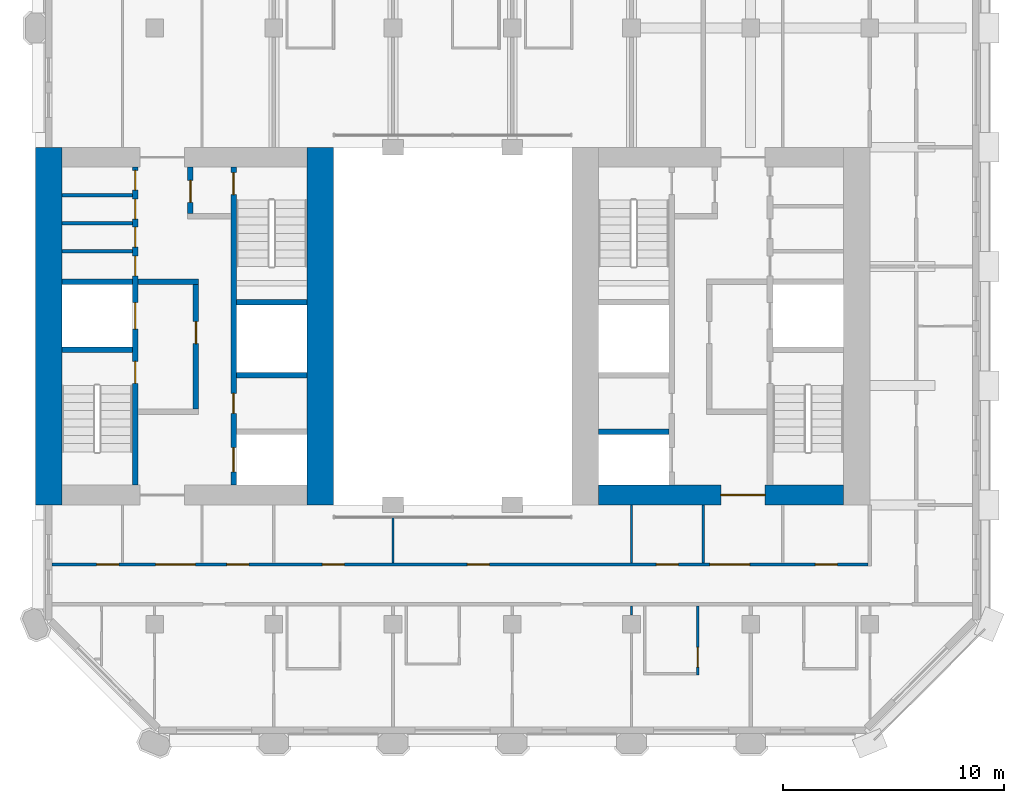
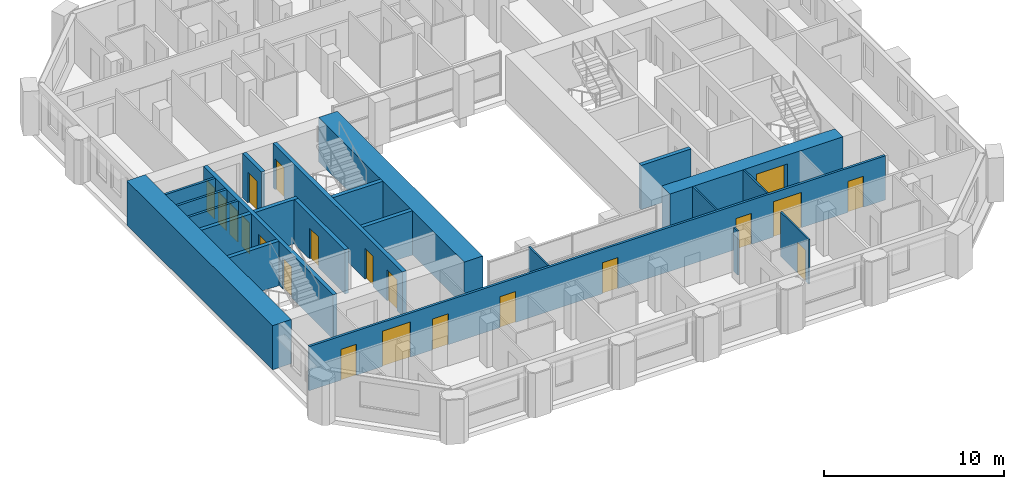
# One storey, part 5 of 13: 22 walls, 21 doors, 21 openings.
"""IFC4 building model written with IfcOpenShell, lengths in metres."""

from ifc_helpers import new_model, si_unit, direction, frame, frame_2d, origin, place, context, subcontext, project, spatial, rectangle, extrude, material, layer, layer_set, type_object, element, fill, save


model = new_model("IFC4")

# Units and contexts
model_context = context("Model", 3, precision=1e-05, world=origin(), true_north=direction((0.0, 1.0)))
body_context = subcontext(model_context, "Body", "Model", "MODEL_VIEW")
ifc_project = project(units=[si_unit("LENGTHUNIT", "METRE"), si_unit("AREAUNIT", "SQUARE_METRE"), si_unit("VOLUMEUNIT", "CUBIC_METRE"), si_unit("PLANEANGLEUNIT", "RADIAN"), si_unit("MASSUNIT", "GRAM", prefix="KILO")], contexts=[model_context])

# Site, building, storey
site_placement = place(None, origin())
site = spatial("IfcSite", under=ifc_project, at=site_placement, CompositionType="ELEMENT")
building_placement = place(site_placement, origin())
building = spatial("IfcBuilding", under=site, at=building_placement, Name="Tabaq Tower and Sports Hall", CompositionType="ELEMENT")
storey_placement = place(building_placement, frame((0.0, 0.0, 200.5)))
storey = spatial("IfcBuildingStorey", under=building, at=storey_placement, Name="L49", CompositionType="ELEMENT", Elevation=200.5)

# Walls
ifc_material_1 = material(Name="Blockwork", Category="masonry")
ifc_layer_1 = layer(ifc_material_1, 0.14990234375)
ifc_layer_set_1 = layer_set([ifc_layer_1], Name="Core room partition 150 Blockwork")
wall_type_1 = type_object("IfcWallType", Name="Core room partition 150 Blockwork", PredefinedType="PARTITIONING", material=ifc_layer_set_1)
for number, where, z_axis, x_axis, name in (
    (1, (6.60009765625, 27.694091796875, 0.0), (0.0, 0.0, 1.0), (1.0, 0.0, 0.0), "Core room partition W L49"),
    (2, (6.60009765625, 28.962890625, 0.0), (0.0, 0.0, 1.0), (1.0, 0.0, 0.0), "Core room partition W L49"),
    (3, (6.60009765625, 30.23193359375, 0.0), (0.0, 0.0, 1.0), (1.0, 0.0, 0.0), "Core room partition W L49"),
):
    element("IfcWall", number, at=place(storey_placement, frame(where, z_axis=z_axis, x_axis=x_axis)), inside=storey, type_object=wall_type_1, Name=name, PredefinedType="PARTITIONING", context=body_context, shape_type="SweptSolid", body=[
        extrude(rectangle(XDim=3.199951171875, YDim=0.14990234375, at=frame_2d((1.60009765625, 0.0))), origin(), (0.0, 0.0, 1.0), 3.0),
    ])
ifc_material_2 = material(Name="Concrete C50/60", Category="concrete")
ifc_layer_2 = layer(ifc_material_2, 1.199951171875)
ifc_layer_set_2 = layer_set([ifc_layer_2], Name="Core wall 1200 Concrete C50/60")
wall_type_2 = type_object("IfcWallType", Name="Core wall 1200 Concrete C50/60", PredefinedType="SOLIDWALL", material=ifc_layer_set_2)
for number, where, z_axis, x_axis, name in (
    (4, (6.0, 16.199951171875, 0.0), (0.0, 0.0, 1.0), (0.0, 1.0, 0.0), "Core wall W L49"),
    (5, (18.300048828125, 32.39990234375, 0.0), (0.0, 0.0, 1.0), (0.0, -1.0, 0.0), "Core wall W L49"),
):
    element("IfcWall", number, at=place(storey_placement, frame(where, z_axis=z_axis, x_axis=x_axis)), inside=storey, type_object=wall_type_2, Name=name, PredefinedType="SOLIDWALL", context=body_context, shape_type="SweptSolid", body=[
        extrude(rectangle(XDim=16.199951171875, YDim=1.199951171875, at=frame_2d((8.10009765625, 0.0))), origin(), (0.0, 0.0, 1.0), 3.0),
    ])

# Wall, opening, door
ifc_material_3 = material(Name="Concrete C50/60", Category="concrete")
ifc_layer_3 = layer(ifc_material_3, 0.89990234375)
ifc_layer_set_3 = layer_set([ifc_layer_3], Name="Core wall 900 Concrete C50/60")
wall_type_3 = type_object("IfcWallType", Name="Core wall 900 Concrete C50/60", PredefinedType="SOLIDWALL", material=ifc_layer_set_3)
wall_1_placement = place(storey_placement, frame((42.0, 16.64990234375, 0.0), z_axis=(0.0, 0.0, 1.0), x_axis=(-1.0, 0.0, 0.0)))
wall_1 = element("IfcWall", 6, at=wall_1_placement, inside=storey, type_object=wall_type_3, Name="Core wall E L49", PredefinedType="SOLIDWALL", context=body_context, shape_type="SweptSolid", body=[
    extrude(rectangle(XDim=11.10009765625, YDim=0.89990234375, at=frame_2d((5.550048828125, 0.0))), origin(), (0.0, 0.0, 1.0), 3.0),
])
opening_1_placement = place(wall_1_placement, frame((3.550048828125, 0.0, 0.0)))
opening_1 = element("IfcOpeningElement", 7, at=opening_1_placement, cuts=wall_1, Name="Opening PD-EL49-01", PredefinedType="OPENING", context=body_context, shape_type="SweptSolid", body=[
    extrude(rectangle(XDim=2.0, YDim=2.39990234375, at=frame_2d((1.0, 1.199951171875))), frame((0.0, 0.449951171875, 0.0), z_axis=(0.0, -1.0, 0.0), x_axis=(1.0, 0.0, 0.0)), (0.0, 0.0, 1.0), 0.89990234375),
])
ifc_material_4 = material(Name="Steel fire door", Category="steel")
door_type_1 = type_object("IfcDoorType", Name="Core entrance door 2000", OperationType="DOUBLE_DOOR_SINGLE_SWING", PredefinedType="DOOR", material=ifc_material_4)
door_1_placement = place(opening_1_placement, origin())
door_1 = element("IfcDoor", 8, at=door_1_placement, inside=storey, type_object=door_type_1, Name="Core entrance south E L49", OperationType="DOUBLE_DOOR_SINGLE_SWING", OverallHeight=2.39990234375, OverallWidth=2.0, PredefinedType="DOOR", context=body_context, shape_type="SweptSolid", body=[
    extrude(rectangle(XDim=2.0, YDim=2.39990234375, at=frame_2d((1.0, 1.199951171875))), frame((0.0, 0.02490234375, 0.0), z_axis=(0.0, -1.0, 0.0), x_axis=(1.0, 0.0, 0.0)), (0.0, 0.0, 1.0), 0.050048828125),
])
fill(opening_1, door_1)

ifc_material_5 = material(Name="Gypsum board on steel studs", Category="steel")
ifc_layer_4 = layer(ifc_material_5, 0.10009765625)
ifc_layer_set_4 = layer_set([ifc_layer_4], Name="Partition 100 Gypsum board")
wall_type_4 = type_object("IfcWallType", Name="Partition 100 Gypsum board", PredefinedType="PARTITIONING", material=ifc_layer_set_4)
wall_2_placement = place(storey_placement, frame((35.39990234375, 11.625, 0.0), z_axis=(0.0, 0.0, 1.0), x_axis=(0.0, -1.0, 0.0)))
wall_2 = element("IfcWall", 9, at=wall_2_placement, inside=storey, type_object=wall_type_4, Name="Partition wall L49", PredefinedType="PARTITIONING", context=body_context, shape_type="SweptSolid", body=[
    extrude(rectangle(XDim=3.125, YDim=0.10009765625, at=frame_2d((1.5625, 0.0))), origin(), (0.0, 0.0, 1.0), 3.0),
])
opening_2_placement = place(wall_2_placement, frame((1.875, 0.0, 0.0)))
opening_2 = element("IfcOpeningElement", 10, at=opening_2_placement, cuts=wall_2, Name="Opening L49-022", PredefinedType="OPENING", context=body_context, shape_type="SweptSolid", body=[
    extrude(rectangle(XDim=0.89990234375, YDim=2.10009765625, at=frame_2d((0.449951171875, 1.050048828125))), frame((0.0, 0.050048828125, 0.0), z_axis=(0.0, -1.0, 0.0), x_axis=(1.0, 0.0, 0.0)), (0.0, 0.0, 1.0), 0.10009765625),
])
ifc_material_6 = material(Name="Timber leaf in steel frame", Category="steel")
door_type_2 = type_object("IfcDoorType", Name="Internal door 900 right hand", OperationType="SINGLE_SWING_RIGHT", PredefinedType="DOOR", material=ifc_material_6)
door_2_placement = place(opening_2_placement, origin())
door_2 = element("IfcDoor", 11, at=door_2_placement, inside=storey, type_object=door_type_2, Name="Internal door L49-022", OperationType="SINGLE_SWING_RIGHT", OverallHeight=2.10009765625, OverallWidth=0.89990234375, PredefinedType="DOOR", context=body_context, shape_type="SweptSolid", body=[
    extrude(rectangle(XDim=0.89990234375, YDim=2.10009765625, at=frame_2d((0.449951171875, 1.050048828125))), frame((0.0, 0.02490234375, 0.0), z_axis=(0.0, -1.0, 0.0), x_axis=(1.0, 0.0, 0.0)), (0.0, 0.0, 1.0), 0.050048828125),
])
fill(opening_2, door_2)

# Walls
wall_3_placement = place(storey_placement, frame((32.39990234375, 11.625, 0.0), z_axis=(0.0, 0.0, 1.0), x_axis=(0.0, -1.0, 0.0)))
element("IfcWall", 12, at=wall_3_placement, inside=storey, type_object=wall_type_4, Name="Partition wall L49", PredefinedType="PARTITIONING", context=body_context, shape_type="SweptSolid", body=[
    extrude(rectangle(XDim=0.405029296875, YDim=0.10009765625, at=frame_2d((0.20263671875, 0.0))), origin(), (0.0, 0.0, 1.0), 3.0),
])
wall_4_placement = place(storey_placement, frame((21.60009765625, 13.574951171875, 0.0), z_axis=(0.0, 0.0, 1.0), x_axis=(0.0, 1.0, 0.0)))
element("IfcWall", 13, at=wall_4_placement, inside=storey, type_object=wall_type_4, Name="Partition wall L49", PredefinedType="PARTITIONING", context=body_context, shape_type="SweptSolid", body=[
    extrude(rectangle(XDim=2.130126953125, YDim=0.10009765625, at=frame_2d((1.06494140625, 0.0))), origin(), (0.0, 0.0, 1.0), 3.0),
])
for number, where, z_axis, x_axis, name in (
    (14, (32.39990234375, 13.574951171875, 0.0), (0.0, 0.0, 1.0), (0.0, 1.0, 0.0), "Partition wall L49"),
    (15, (35.64990234375, 16.199951171875, 0.0), (0.0, 0.0, 1.0), (0.0, -1.0, 0.0), "Partition wall L49"),
):
    element("IfcWall", number, at=place(storey_placement, frame(where, z_axis=z_axis, x_axis=x_axis)), inside=storey, type_object=wall_type_4, Name=name, PredefinedType="PARTITIONING", context=body_context, shape_type="SweptSolid", body=[
        extrude(rectangle(XDim=2.625, YDim=0.10009765625, at=frame_2d((1.3125, 0.0))), origin(), (0.0, 0.0, 1.0), 3.0),
    ])

# Wall, openings, doors
ifc_material_7 = material(Name="Blockwork", Category="masonry")
ifc_layer_5 = layer(ifc_material_7, 0.14990234375)
ifc_layer_set_5 = layer_set([ifc_layer_5], Name="Separating wall 150 Blockwork")
wall_type_5 = type_object("IfcWallType", Name="Separating wall 150 Blockwork", PredefinedType="PARTITIONING", material=ifc_layer_set_5)
wall_5_placement = place(storey_placement, frame((6.15087890625, 13.5, 0.0), z_axis=(0.0, 0.0, 1.0), x_axis=(1.0, 0.0, 0.0)))
wall_5 = element("IfcWall", 16, at=wall_5_placement, inside=storey, type_object=wall_type_5, Name="Separating wall L49", PredefinedType="PARTITIONING", context=body_context, shape_type="SweptSolid", body=[
    extrude(rectangle(XDim=36.97412109375, YDim=0.14990234375, at=frame_2d((18.487060546875, 0.0))), origin(), (0.0, 0.0, 1.0), 3.0),
])
opening_3_placement = place(wall_5_placement, frame((12.2490234375, 0.0, 0.0)))
opening_3 = element("IfcOpeningElement", 17, at=opening_3_placement, cuts=wall_5, Name="Opening L49-024", PredefinedType="OPENING", context=body_context, shape_type="SweptSolid", body=[
    extrude(rectangle(XDim=1.0, YDim=2.10009765625, at=frame_2d((0.5, 1.050048828125))), frame((0.0, 0.074951171875, 0.0), z_axis=(0.0, -1.0, 0.0), x_axis=(1.0, 0.0, 0.0)), (0.0, 0.0, 1.0), 0.14990234375),
])
opening_4_placement = place(wall_5_placement, frame((18.81591796875, 0.0, 0.0)))
opening_4 = element("IfcOpeningElement", 18, at=opening_4_placement, cuts=wall_5, Name="Opening L49-025", PredefinedType="OPENING", context=body_context, shape_type="SweptSolid", body=[
    extrude(rectangle(XDim=1.0, YDim=2.10009765625, at=frame_2d((0.5, 1.050048828125))), frame((0.0, 0.074951171875, 0.0), z_axis=(0.0, -1.0, 0.0), x_axis=(1.0, 0.0, 0.0)), (0.0, 0.0, 1.0), 0.14990234375),
])
opening_5_placement = place(wall_5_placement, frame((2.029052734375, 0.0, 0.0)))
opening_5 = element("IfcOpeningElement", 19, at=opening_5_placement, cuts=wall_5, Name="Opening L49-027", PredefinedType="OPENING", context=body_context, shape_type="SweptSolid", body=[
    extrude(rectangle(XDim=1.0, YDim=2.10009765625, at=frame_2d((0.5, 1.050048828125))), frame((0.0, 0.074951171875, 0.0), z_axis=(0.0, -1.0, 0.0), x_axis=(1.0, 0.0, 0.0)), (0.0, 0.0, 1.0), 0.14990234375),
])
opening_6_placement = place(wall_5_placement, frame((27.3740234375, 0.0, 0.0)))
opening_6 = element("IfcOpeningElement", 20, at=opening_6_placement, cuts=wall_5, Name="Opening L49-028", PredefinedType="OPENING", context=body_context, shape_type="SweptSolid", body=[
    extrude(rectangle(XDim=1.0, YDim=2.10009765625, at=frame_2d((0.5, 1.050048828125))), frame((0.0, 0.074951171875, 0.0), z_axis=(0.0, -1.0, 0.0), x_axis=(1.0, 0.0, 0.0)), (0.0, 0.0, 1.0), 0.14990234375),
])
opening_7_placement = place(wall_5_placement, frame((34.573974609375, 0.0, 0.0)))
opening_7 = element("IfcOpeningElement", 21, at=opening_7_placement, cuts=wall_5, Name="Opening L49-029", PredefinedType="OPENING", context=body_context, shape_type="SweptSolid", body=[
    extrude(rectangle(XDim=1.0, YDim=2.10009765625, at=frame_2d((0.5, 1.050048828125))), frame((0.0, 0.074951171875, 0.0), z_axis=(0.0, -1.0, 0.0), x_axis=(1.0, 0.0, 0.0)), (0.0, 0.0, 1.0), 0.14990234375),
])
opening_8_placement = place(wall_5_placement, frame((7.924072265625, 0.0, 0.0)))
opening_8 = element("IfcOpeningElement", 22, at=opening_8_placement, cuts=wall_5, Name="Opening L49-030", PredefinedType="OPENING", context=body_context, shape_type="SweptSolid", body=[
    extrude(rectangle(XDim=1.0, YDim=2.10009765625, at=frame_2d((0.5, 1.050048828125))), frame((0.0, 0.074951171875, 0.0), z_axis=(0.0, -1.0, 0.0), x_axis=(1.0, 0.0, 0.0)), (0.0, 0.0, 1.0), 0.14990234375),
])
opening_9_placement = place(wall_5_placement, frame((4.698974609375, 0.0, 0.0)))
opening_9 = element("IfcOpeningElement", 23, at=opening_9_placement, cuts=wall_5, Name="Opening L49-050", PredefinedType="OPENING", context=body_context, shape_type="SweptSolid", body=[
    extrude(rectangle(XDim=1.800048828125, YDim=2.39990234375, at=frame_2d((0.89990234375, 1.199951171875))), frame((0.0, 0.074951171875, 0.0), z_axis=(0.0, -1.0, 0.0), x_axis=(1.0, 0.0, 0.0)), (0.0, 0.0, 1.0), 0.14990234375),
])
opening_10_placement = place(wall_5_placement, frame((29.799072265625, 0.0, 0.0)))
opening_10 = element("IfcOpeningElement", 24, at=opening_10_placement, cuts=wall_5, Name="Opening L49-051", PredefinedType="OPENING", context=body_context, shape_type="SweptSolid", body=[
    extrude(rectangle(XDim=1.800048828125, YDim=2.39990234375, at=frame_2d((0.89990234375, 1.199951171875))), frame((0.0, 0.074951171875, 0.0), z_axis=(0.0, -1.0, 0.0), x_axis=(1.0, 0.0, 0.0)), (0.0, 0.0, 1.0), 0.14990234375),
])
ifc_material_8 = material(Name="Timber leaf in steel frame", Category="steel")
door_type_3 = type_object("IfcDoorType", Name="Internal door 1000 left hand", OperationType="SINGLE_SWING_LEFT", PredefinedType="DOOR", material=ifc_material_8)
door_3_placement = place(opening_5_placement, origin())
door_3 = element("IfcDoor", 25, at=door_3_placement, inside=storey, type_object=door_type_3, Name="Internal door L49-027", OperationType="SINGLE_SWING_LEFT", OverallHeight=2.10009765625, OverallWidth=1.0, PredefinedType="DOOR", context=body_context, shape_type="SweptSolid", body=[
    extrude(rectangle(XDim=1.0, YDim=2.10009765625, at=frame_2d((0.5, 1.050048828125))), frame((0.0, 0.02490234375, 0.0), z_axis=(0.0, -1.0, 0.0), x_axis=(1.0, 0.0, 0.0)), (0.0, 0.0, 1.0), 0.050048828125),
])
fill(opening_5, door_3)
door_4_placement = place(opening_6_placement, origin())
door_4 = element("IfcDoor", 26, at=door_4_placement, inside=storey, type_object=door_type_3, Name="Internal door L49-028", OperationType="SINGLE_SWING_LEFT", OverallHeight=2.10009765625, OverallWidth=1.0, PredefinedType="DOOR", context=body_context, shape_type="SweptSolid", body=[
    extrude(rectangle(XDim=1.0, YDim=2.10009765625, at=frame_2d((0.5, 1.050048828125))), frame((0.0, 0.02490234375, 0.0), z_axis=(0.0, -1.0, 0.0), x_axis=(1.0, 0.0, 0.0)), (0.0, 0.0, 1.0), 0.050048828125),
])
fill(opening_6, door_4)
ifc_material_9 = material(Name="Timber leaf in steel frame", Category="steel")
door_type_4 = type_object("IfcDoorType", Name="Internal door 1000 right hand", OperationType="SINGLE_SWING_RIGHT", PredefinedType="DOOR", material=ifc_material_9)
door_5_placement = place(opening_3_placement, origin())
door_5 = element("IfcDoor", 27, at=door_5_placement, inside=storey, type_object=door_type_4, Name="Internal door L49-024", OperationType="SINGLE_SWING_RIGHT", OverallHeight=2.10009765625, OverallWidth=1.0, PredefinedType="DOOR", context=body_context, shape_type="SweptSolid", body=[
    extrude(rectangle(XDim=1.0, YDim=2.10009765625, at=frame_2d((0.5, 1.050048828125))), frame((0.0, 0.02490234375, 0.0), z_axis=(0.0, -1.0, 0.0), x_axis=(1.0, 0.0, 0.0)), (0.0, 0.0, 1.0), 0.050048828125),
])
fill(opening_3, door_5)
door_6_placement = place(opening_4_placement, origin())
door_6 = element("IfcDoor", 28, at=door_6_placement, inside=storey, type_object=door_type_4, Name="Internal door L49-025", OperationType="SINGLE_SWING_RIGHT", OverallHeight=2.10009765625, OverallWidth=1.0, PredefinedType="DOOR", context=body_context, shape_type="SweptSolid", body=[
    extrude(rectangle(XDim=1.0, YDim=2.10009765625, at=frame_2d((0.5, 1.050048828125))), frame((0.0, 0.02490234375, 0.0), z_axis=(0.0, -1.0, 0.0), x_axis=(1.0, 0.0, 0.0)), (0.0, 0.0, 1.0), 0.050048828125),
])
fill(opening_4, door_6)
door_7_placement = place(opening_7_placement, origin())
door_7 = element("IfcDoor", 29, at=door_7_placement, inside=storey, type_object=door_type_4, Name="Internal door L49-029", OperationType="SINGLE_SWING_RIGHT", OverallHeight=2.10009765625, OverallWidth=1.0, PredefinedType="DOOR", context=body_context, shape_type="SweptSolid", body=[
    extrude(rectangle(XDim=1.0, YDim=2.10009765625, at=frame_2d((0.5, 1.050048828125))), frame((0.0, 0.02490234375, 0.0), z_axis=(0.0, -1.0, 0.0), x_axis=(1.0, 0.0, 0.0)), (0.0, 0.0, 1.0), 0.050048828125),
])
fill(opening_7, door_7)
door_8_placement = place(opening_8_placement, origin())
door_8 = element("IfcDoor", 30, at=door_8_placement, inside=storey, type_object=door_type_4, Name="Internal door L49-030", OperationType="SINGLE_SWING_RIGHT", OverallHeight=2.10009765625, OverallWidth=1.0, PredefinedType="DOOR", context=body_context, shape_type="SweptSolid", body=[
    extrude(rectangle(XDim=1.0, YDim=2.10009765625, at=frame_2d((0.5, 1.050048828125))), frame((0.0, 0.02490234375, 0.0), z_axis=(0.0, -1.0, 0.0), x_axis=(1.0, 0.0, 0.0)), (0.0, 0.0, 1.0), 0.050048828125),
])
fill(opening_8, door_8)
ifc_material_10 = material(Name="Timber leaf in steel frame", Category="steel")
door_type_5 = type_object("IfcDoorType", Name="Internal door 1800", OperationType="DOUBLE_DOOR_SINGLE_SWING", PredefinedType="DOOR", material=ifc_material_10)
door_9_placement = place(opening_9_placement, origin())
door_9 = element("IfcDoor", 31, at=door_9_placement, inside=storey, type_object=door_type_5, Name="Internal door L49-050", OperationType="DOUBLE_DOOR_SINGLE_SWING", OverallHeight=2.39990234375, OverallWidth=1.800048828125, PredefinedType="DOOR", context=body_context, shape_type="SweptSolid", body=[
    extrude(rectangle(XDim=1.800048828125, YDim=2.39990234375, at=frame_2d((0.89990234375, 1.199951171875))), frame((0.0, 0.02490234375, 0.0), z_axis=(0.0, -1.0, 0.0), x_axis=(1.0, 0.0, 0.0)), (0.0, 0.0, 1.0), 0.050048828125),
])
fill(opening_9, door_9)
door_10_placement = place(opening_10_placement, origin())
door_10 = element("IfcDoor", 32, at=door_10_placement, inside=storey, type_object=door_type_5, Name="Internal door L49-051", OperationType="DOUBLE_DOOR_SINGLE_SWING", OverallHeight=2.39990234375, OverallWidth=1.800048828125, PredefinedType="DOOR", context=body_context, shape_type="SweptSolid", body=[
    extrude(rectangle(XDim=1.800048828125, YDim=2.39990234375, at=frame_2d((0.89990234375, 1.199951171875))), frame((0.0, 0.02490234375, 0.0), z_axis=(0.0, -1.0, 0.0), x_axis=(1.0, 0.0, 0.0)), (0.0, 0.0, 1.0), 0.050048828125),
])
fill(opening_10, door_10)

ifc_material_11 = material(Name="Concrete C40/50", Category="concrete")
ifc_layer_6 = layer(ifc_material_11, 0.25)
ifc_layer_set_6 = layer_set([ifc_layer_6], Name="Shaft and stair wall 250 Concrete C40/50")
wall_type_6 = type_object("IfcWallType", Name="Shaft and stair wall 250 Concrete C40/50", PredefinedType="SOLIDWALL", material=ifc_layer_set_6)
wall_6_placement = place(storey_placement, frame((9.925048828125, 17.10009765625, 0.0), z_axis=(0.0, 0.0, 1.0), x_axis=(0.0, 1.0, 0.0)))
wall_6 = element("IfcWall", 33, at=wall_6_placement, inside=storey, type_object=wall_type_6, Name="Shaft wall W L49", PredefinedType="SOLIDWALL", context=body_context, shape_type="SweptSolid", body=[
    extrude(rectangle(XDim=14.39990234375, YDim=0.25, at=frame_2d((7.199951171875, 0.0))), origin(), (0.0, 0.0, 1.0), 3.0),
])
opening_11_placement = place(wall_6_placement, frame((4.60009765625, 0.0, 0.0)))
opening_11 = element("IfcOpeningElement", 34, at=opening_11_placement, cuts=wall_6, Name="Opening SD-WL49-03", PredefinedType="OPENING", context=body_context, shape_type="SweptSolid", body=[
    extrude(rectangle(XDim=1.0, YDim=2.10009765625, at=frame_2d((0.5, 1.050048828125))), frame((0.0, 0.125, 0.0), z_axis=(0.0, -1.0, 0.0), x_axis=(1.0, 0.0, 0.0)), (0.0, 0.0, 1.0), 0.25),
])
opening_12_placement = place(wall_6_placement, frame((7.0625, 0.0, 0.0)))
opening_12 = element("IfcOpeningElement", 35, at=opening_12_placement, cuts=wall_6, Name="Opening LD-FF1-L49", PredefinedType="OPENING", context=body_context, shape_type="SweptSolid", body=[
    extrude(rectangle(XDim=1.199951171875, YDim=2.10009765625, at=frame_2d((0.60009765625, 1.050048828125))), frame((0.0, 0.125, 0.0), z_axis=(0.0, -1.0, 0.0), x_axis=(1.0, 0.0, 0.0)), (0.0, 0.0, 1.0), 0.25),
])
opening_13_placement = place(wall_6_placement, frame((9.471923828125, 0.0, 0.0)))
opening_13 = element("IfcOpeningElement", 36, at=opening_13_placement, cuts=wall_6, Name="Opening RD-WL49-09", PredefinedType="OPENING", context=body_context, shape_type="SweptSolid", body=[
    extrude(rectangle(XDim=0.89990234375, YDim=2.10009765625, at=frame_2d((0.449951171875, 1.050048828125))), frame((0.0, 0.125, 0.0), z_axis=(0.0, -1.0, 0.0), x_axis=(1.0, 0.0, 0.0)), (0.0, 0.0, 1.0), 0.25),
])
opening_14_placement = place(wall_6_placement, frame((10.778564453125, 0.0, 0.0)))
opening_14 = element("IfcOpeningElement", 37, at=opening_14_placement, cuts=wall_6, Name="Opening RD-WL49-10", PredefinedType="OPENING", context=body_context, shape_type="SweptSolid", body=[
    extrude(rectangle(XDim=0.89990234375, YDim=2.10009765625, at=frame_2d((0.449951171875, 1.050048828125))), frame((0.0, 0.125, 0.0), z_axis=(0.0, -1.0, 0.0), x_axis=(1.0, 0.0, 0.0)), (0.0, 0.0, 1.0), 0.25),
])
opening_15_placement = place(wall_6_placement, frame((12.047607421875, 0.0, 0.0)))
opening_15 = element("IfcOpeningElement", 38, at=opening_15_placement, cuts=wall_6, Name="Opening RD-WL49-11", PredefinedType="OPENING", context=body_context, shape_type="SweptSolid", body=[
    extrude(rectangle(XDim=0.89990234375, YDim=2.10009765625, at=frame_2d((0.449951171875, 1.050048828125))), frame((0.0, 0.125, 0.0), z_axis=(0.0, -1.0, 0.0), x_axis=(1.0, 0.0, 0.0)), (0.0, 0.0, 1.0), 0.25),
])
opening_16_placement = place(wall_6_placement, frame((13.353515625, 0.0, 0.0)))
opening_16 = element("IfcOpeningElement", 39, at=opening_16_placement, cuts=wall_6, Name="Opening RD-WL49-12", PredefinedType="OPENING", context=body_context, shape_type="SweptSolid", body=[
    extrude(rectangle(XDim=0.89990234375, YDim=2.10009765625, at=frame_2d((0.449951171875, 1.050048828125))), frame((0.0, 0.125, 0.0), z_axis=(0.0, -1.0, 0.0), x_axis=(1.0, 0.0, 0.0)), (0.0, 0.0, 1.0), 0.25),
])
ifc_material_12 = material(Name="Steel fire door", Category="steel")
door_type_6 = type_object("IfcDoorType", Name="Core room door 900", OperationType="SINGLE_SWING_LEFT", PredefinedType="DOOR", material=ifc_material_12)
door_11_placement = place(opening_13_placement, origin())
door_11 = element("IfcDoor", 40, at=door_11_placement, inside=storey, type_object=door_type_6, Name="Door Cleaner's Store W L49", OperationType="SINGLE_SWING_LEFT", OverallHeight=2.10009765625, OverallWidth=0.89990234375, PredefinedType="DOOR", context=body_context, shape_type="SweptSolid", body=[
    extrude(rectangle(XDim=0.89990234375, YDim=2.10009765625, at=frame_2d((0.449951171875, 1.050048828125))), frame((0.0, 0.02490234375, 0.0), z_axis=(0.0, -1.0, 0.0), x_axis=(1.0, 0.0, 0.0)), (0.0, 0.0, 1.0), 0.050048828125),
])
fill(opening_13, door_11)
door_12_placement = place(opening_14_placement, origin())
door_12 = element("IfcDoor", 41, at=door_12_placement, inside=storey, type_object=door_type_6, Name="Door Gents WC W L49", OperationType="SINGLE_SWING_LEFT", OverallHeight=2.10009765625, OverallWidth=0.89990234375, PredefinedType="DOOR", context=body_context, shape_type="SweptSolid", body=[
    extrude(rectangle(XDim=0.89990234375, YDim=2.10009765625, at=frame_2d((0.449951171875, 1.050048828125))), frame((0.0, 0.02490234375, 0.0), z_axis=(0.0, -1.0, 0.0), x_axis=(1.0, 0.0, 0.0)), (0.0, 0.0, 1.0), 0.050048828125),
])
fill(opening_14, door_12)
door_13_placement = place(opening_15_placement, origin())
door_13 = element("IfcDoor", 42, at=door_13_placement, inside=storey, type_object=door_type_6, Name="Door Ladies WC W L49", OperationType="SINGLE_SWING_LEFT", OverallHeight=2.10009765625, OverallWidth=0.89990234375, PredefinedType="DOOR", context=body_context, shape_type="SweptSolid", body=[
    extrude(rectangle(XDim=0.89990234375, YDim=2.10009765625, at=frame_2d((0.449951171875, 1.050048828125))), frame((0.0, 0.02490234375, 0.0), z_axis=(0.0, -1.0, 0.0), x_axis=(1.0, 0.0, 0.0)), (0.0, 0.0, 1.0), 0.050048828125),
])
fill(opening_15, door_13)
door_14_placement = place(opening_16_placement, origin())
door_14 = element("IfcDoor", 43, at=door_14_placement, inside=storey, type_object=door_type_6, Name="Door Accessible WC W L49", OperationType="SINGLE_SWING_LEFT", OverallHeight=2.10009765625, OverallWidth=0.89990234375, PredefinedType="DOOR", context=body_context, shape_type="SweptSolid", body=[
    extrude(rectangle(XDim=0.89990234375, YDim=2.10009765625, at=frame_2d((0.449951171875, 1.050048828125))), frame((0.0, 0.02490234375, 0.0), z_axis=(0.0, -1.0, 0.0), x_axis=(1.0, 0.0, 0.0)), (0.0, 0.0, 1.0), 0.050048828125),
])
fill(opening_16, door_14)
ifc_material_13 = material(Name="Stainless steel", Category="steel")
door_type_7 = type_object("IfcDoorType", Name="Lift landing door 1200", OperationType="DOUBLE_DOOR_SLIDING", PredefinedType="DOOR", material=ifc_material_13)
door_15_placement = place(opening_12_placement, origin())
door_15 = element("IfcDoor", 44, at=door_15_placement, inside=storey, type_object=door_type_7, Name="Lift landing door FF1 W L49", OperationType="DOUBLE_DOOR_SLIDING", OverallHeight=2.10009765625, OverallWidth=1.199951171875, PredefinedType="DOOR", context=body_context, shape_type="SweptSolid", body=[
    extrude(rectangle(XDim=1.199951171875, YDim=2.10009765625, at=frame_2d((0.60009765625, 1.050048828125))), frame((0.0, 0.02490234375, 0.0), z_axis=(0.0, -1.0, 0.0), x_axis=(1.0, 0.0, 0.0)), (0.0, 0.0, 1.0), 0.050048828125),
])
fill(opening_12, door_15)
ifc_material_14 = material(Name="Steel fire door", Category="steel")
door_type_8 = type_object("IfcDoorType", Name="Stair door 1000", OperationType="SINGLE_SWING_LEFT", PredefinedType="DOOR", material=ifc_material_14)
door_16_placement = place(opening_11_placement, origin())
door_16 = element("IfcDoor", 45, at=door_16_placement, inside=storey, type_object=door_type_8, Name="Stair door ST1 W L49", OperationType="SINGLE_SWING_LEFT", OverallHeight=2.10009765625, OverallWidth=1.0, PredefinedType="DOOR", context=body_context, shape_type="SweptSolid", body=[
    extrude(rectangle(XDim=1.0, YDim=2.10009765625, at=frame_2d((0.5, 1.050048828125))), frame((0.0, 0.02490234375, 0.0), z_axis=(0.0, -1.0, 0.0), x_axis=(1.0, 0.0, 0.0)), (0.0, 0.0, 1.0), 0.050048828125),
])
fill(opening_11, door_16)

wall_7_placement = place(storey_placement, frame((14.375, 17.10009765625, 0.0), z_axis=(0.0, 0.0, 1.0), x_axis=(0.0, 1.0, 0.0)))
wall_7 = element("IfcWall", 46, at=wall_7_placement, inside=storey, type_object=wall_type_6, Name="Shaft wall W L49", PredefinedType="SOLIDWALL", context=body_context, shape_type="SweptSolid", body=[
    extrude(rectangle(XDim=14.39990234375, YDim=0.25, at=frame_2d((7.199951171875, 0.0))), origin(), (0.0, 0.0, 1.0), 3.0),
])
opening_17_placement = place(wall_7_placement, frame((13.14990234375, 0.0, 0.0)))
opening_17 = element("IfcOpeningElement", 47, at=opening_17_placement, cuts=wall_7, Name="Opening SD-WL49-05", PredefinedType="OPENING", context=body_context, shape_type="SweptSolid", body=[
    extrude(rectangle(XDim=1.0, YDim=2.10009765625, at=frame_2d((0.5, 1.050048828125))), frame((0.0, 0.125, 0.0), z_axis=(0.0, -1.0, 0.0), x_axis=(1.0, 0.0, 0.0)), (0.0, 0.0, 1.0), 0.25),
])
opening_18_placement = place(wall_7_placement, frame((0.60009765625, 0.0, 0.0)))
opening_18 = element("IfcOpeningElement", 48, at=opening_18_placement, cuts=wall_7, Name="Opening LD-MR1-L49", PredefinedType="OPENING", context=body_context, shape_type="SweptSolid", body=[
    extrude(rectangle(XDim=1.10009765625, YDim=2.10009765625, at=frame_2d((0.550048828125, 1.050048828125))), frame((0.0, 0.125, 0.0), z_axis=(0.0, -1.0, 0.0), x_axis=(1.0, 0.0, 0.0)), (0.0, 0.0, 1.0), 0.25),
])
opening_19_placement = place(wall_7_placement, frame((3.25, 0.0, 0.0)))
opening_19 = element("IfcOpeningElement", 49, at=opening_19_placement, cuts=wall_7, Name="Opening RD-WL49-13", PredefinedType="OPENING", context=body_context, shape_type="SweptSolid", body=[
    extrude(rectangle(XDim=0.89990234375, YDim=2.10009765625, at=frame_2d((0.449951171875, 1.050048828125))), frame((0.0, 0.125, 0.0), z_axis=(0.0, -1.0, 0.0), x_axis=(1.0, 0.0, 0.0)), (0.0, 0.0, 1.0), 0.25),
])
door_17_placement = place(opening_19_placement, origin())
door_17 = element("IfcDoor", 50, at=door_17_placement, inside=storey, type_object=door_type_6, Name="Door Cleaner's Store W L49", OperationType="SINGLE_SWING_LEFT", OverallHeight=2.10009765625, OverallWidth=0.89990234375, PredefinedType="DOOR", context=body_context, shape_type="SweptSolid", body=[
    extrude(rectangle(XDim=0.89990234375, YDim=2.10009765625, at=frame_2d((0.449951171875, 1.050048828125))), frame((0.0, 0.02490234375, 0.0), z_axis=(0.0, -1.0, 0.0), x_axis=(1.0, 0.0, 0.0)), (0.0, 0.0, 1.0), 0.050048828125),
])
fill(opening_19, door_17)
ifc_material_15 = material(Name="Stainless steel", Category="steel")
door_type_9 = type_object("IfcDoorType", Name="Lift landing door 1100", OperationType="DOUBLE_DOOR_SLIDING", PredefinedType="DOOR", material=ifc_material_15)
door_18_placement = place(opening_18_placement, origin())
door_18 = element("IfcDoor", 51, at=door_18_placement, inside=storey, type_object=door_type_9, Name="Lift landing door MR1 W L49", OperationType="DOUBLE_DOOR_SLIDING", OverallHeight=2.10009765625, OverallWidth=1.10009765625, PredefinedType="DOOR", context=body_context, shape_type="SweptSolid", body=[
    extrude(rectangle(XDim=1.10009765625, YDim=2.10009765625, at=frame_2d((0.550048828125, 1.050048828125))), frame((0.0, 0.02490234375, 0.0), z_axis=(0.0, -1.0, 0.0), x_axis=(1.0, 0.0, 0.0)), (0.0, 0.0, 1.0), 0.050048828125),
])
fill(opening_18, door_18)
door_19_placement = place(opening_17_placement, origin())
door_19 = element("IfcDoor", 52, at=door_19_placement, inside=storey, type_object=door_type_8, Name="Stair door ST2 W L49", OperationType="SINGLE_SWING_LEFT", OverallHeight=2.10009765625, OverallWidth=1.0, PredefinedType="DOOR", context=body_context, shape_type="SweptSolid", body=[
    extrude(rectangle(XDim=1.0, YDim=2.10009765625, at=frame_2d((0.5, 1.050048828125))), frame((0.0, 0.02490234375, 0.0), z_axis=(0.0, -1.0, 0.0), x_axis=(1.0, 0.0, 0.0)), (0.0, 0.0, 1.0), 0.050048828125),
])
fill(opening_17, door_19)

# Walls
for number, where, z_axis, x_axis, name in (
    (53, (6.60009765625, 23.22509765625, 0.0), (0.0, 0.0, 1.0), (1.0, 0.0, 0.0), "Stair enclosure wall W L49"),
    (54, (14.5, 25.375, 0.0), (0.0, 0.0, 1.0), (1.0, 0.0, 0.0), "Stair enclosure wall W L49"),
    (55, (14.5, 22.074951171875, 0.0), (0.0, 0.0, 1.0), (1.0, 0.0, 0.0), "Shaft wall W L49"),
    (56, (6.60009765625, 26.300048828125, 0.0), (0.0, 0.0, 1.0), (1.0, 0.0, 0.0), "Shaft wall W L49"),
):
    element("IfcWall", number, at=place(storey_placement, frame(where, z_axis=z_axis, x_axis=x_axis)), inside=storey, type_object=wall_type_6, Name=name, PredefinedType="SOLIDWALL", context=body_context, shape_type="SweptSolid", body=[
        extrude(rectangle(XDim=3.199951171875, YDim=0.25, at=frame_2d((1.60009765625, 0.0))), origin(), (0.0, 0.0, 1.0), 3.0),
    ])
wall_8_placement = place(storey_placement, frame((10.050048828125, 26.300048828125, 0.0), z_axis=(0.0, 0.0, 1.0), x_axis=(1.0, 0.0, 0.0)))
element("IfcWall", 57, at=wall_8_placement, inside=storey, type_object=wall_type_6, Name="Fire-fighting lobby wall W L49", PredefinedType="SOLIDWALL", context=body_context, shape_type="SweptSolid", body=[
    extrude(rectangle(XDim=2.75, YDim=0.25, at=frame_2d((1.375, 0.0))), origin(), (0.0, 0.0, 1.0), 3.0),
])

# Wall, opening, door
wall_9_placement = place(storey_placement, frame((12.425048828125, 29.39990234375, 0.0), z_axis=(0.0, 0.0, 1.0), x_axis=(0.0, 1.0, 0.0)))
wall_9 = element("IfcWall", 58, at=wall_9_placement, inside=storey, type_object=wall_type_6, Name="Fire-fighting lobby wall W L49", PredefinedType="SOLIDWALL", context=body_context, shape_type="SweptSolid", body=[
    extrude(rectangle(XDim=2.10009765625, YDim=0.25, at=frame_2d((1.050048828125, 0.0))), origin(), (0.0, 0.0, 1.0), 3.0),
])
opening_20_placement = place(wall_9_placement, frame((0.5, 0.0, 0.0)))
opening_20 = element("IfcOpeningElement", 59, at=opening_20_placement, cuts=wall_9, Name="Opening FD-WL49-06", PredefinedType="OPENING", context=body_context, shape_type="SweptSolid", body=[
    extrude(rectangle(XDim=1.0, YDim=2.10009765625, at=frame_2d((0.5, 1.050048828125))), frame((0.0, 0.125, 0.0), z_axis=(0.0, -1.0, 0.0), x_axis=(1.0, 0.0, 0.0)), (0.0, 0.0, 1.0), 0.25),
])
ifc_material_16 = material(Name="Steel fire door", Category="steel")
door_type_10 = type_object("IfcDoorType", Name="Fire-fighting lobby door 1000", OperationType="SINGLE_SWING_LEFT", PredefinedType="DOOR", material=ifc_material_16)
door_20_placement = place(opening_20_placement, origin())
door_20 = element("IfcDoor", 60, at=door_20_placement, inside=storey, type_object=door_type_10, Name="Stair lobby door W L49", OperationType="SINGLE_SWING_LEFT", OverallHeight=2.10009765625, OverallWidth=1.0, PredefinedType="DOOR", context=body_context, shape_type="SweptSolid", body=[
    extrude(rectangle(XDim=1.0, YDim=2.10009765625, at=frame_2d((0.5, 1.050048828125))), frame((0.0, 0.02490234375, 0.0), z_axis=(0.0, -1.0, 0.0), x_axis=(1.0, 0.0, 0.0)), (0.0, 0.0, 1.0), 0.050048828125),
])
fill(opening_20, door_20)

wall_10_placement = place(storey_placement, frame((12.675048828125, 20.550048828125, 0.0), z_axis=(0.0, 0.0, 1.0), x_axis=(0.0, 1.0, 0.0)))
wall_10 = element("IfcWall", 61, at=wall_10_placement, inside=storey, type_object=wall_type_6, Name="Fire-fighting lobby wall W L49", PredefinedType="SOLIDWALL", context=body_context, shape_type="SweptSolid", body=[
    extrude(rectangle(XDim=5.625, YDim=0.25, at=frame_2d((2.8125, 0.0))), origin(), (0.0, 0.0, 1.0), 3.0),
])
opening_21_placement = place(wall_10_placement, frame((2.949951171875, 0.0, 0.0)))
opening_21 = element("IfcOpeningElement", 62, at=opening_21_placement, cuts=wall_10, Name="Opening FD-WL49-04", PredefinedType="OPENING", context=body_context, shape_type="SweptSolid", body=[
    extrude(rectangle(XDim=1.0, YDim=2.10009765625, at=frame_2d((0.5, 1.050048828125))), frame((0.0, 0.125, 0.0), z_axis=(0.0, -1.0, 0.0), x_axis=(1.0, 0.0, 0.0)), (0.0, 0.0, 1.0), 0.25),
])
door_21_placement = place(opening_21_placement, origin())
door_21 = element("IfcDoor", 63, at=door_21_placement, inside=storey, type_object=door_type_10, Name="Fire-fighting lobby door W L49", OperationType="SINGLE_SWING_LEFT", OverallHeight=2.10009765625, OverallWidth=1.0, PredefinedType="DOOR", context=body_context, shape_type="SweptSolid", body=[
    extrude(rectangle(XDim=1.0, YDim=2.10009765625, at=frame_2d((0.5, 1.050048828125))), frame((0.0, 0.02490234375, 0.0), z_axis=(0.0, -1.0, 0.0), x_axis=(1.0, 0.0, 0.0)), (0.0, 0.0, 1.0), 0.050048828125),
])
fill(opening_21, door_21)

# Wall
wall_11_placement = place(storey_placement, frame((30.89990234375, 19.52490234375, 0.0), z_axis=(0.0, 0.0, 1.0), x_axis=(1.0, 0.0, 0.0)))
element("IfcWall", 64, at=wall_11_placement, inside=storey, type_object=wall_type_6, Name="Shaft wall E L49", PredefinedType="SOLIDWALL", context=body_context, shape_type="SweptSolid", body=[
    extrude(rectangle(XDim=3.2001953125, YDim=0.25, at=frame_2d((1.60009765625, 0.0))), origin(), (0.0, 0.0, 1.0), 3.0),
])

save(model, "model.ifc")
